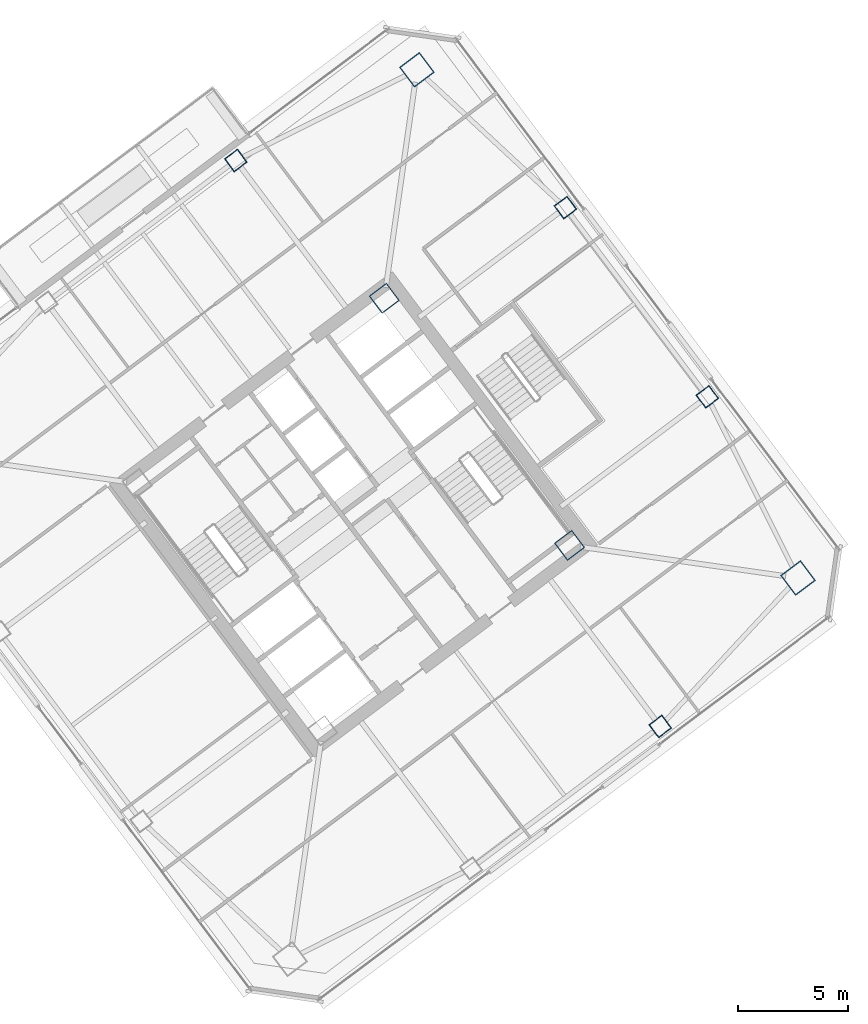
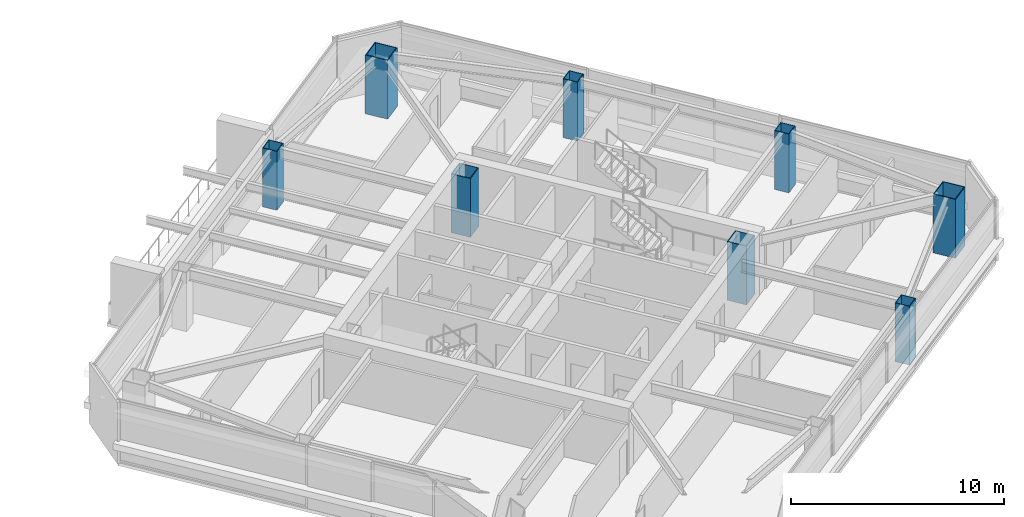
# One storey, part 2 of 43: 8 columns.
"""IFC4 building model written with IfcOpenShell, lengths in metres."""

import ifcopenshell
import ifcopenshell.guid

model = None  # the IFC model being written
_history = None  # IfcOwnerHistory: only IFC2X3 demands one
_inside = {}  # id of a spatial element -> (the spatial element, [elements in it])
_under = {}  # id of a project, library or spatial element -> (it, [spatial elements below it])
_declared = {}  # id of a project -> (the project, [libraries it declares])
_typed = {}  # id of a type object -> (the type object, [elements of that type])
_made_of = {}  # id of a material, layer set ... -> (it, [elements and type objects made of it])


def new_model(schema):
    """Start an empty IFC model of exactly this schema.

    Asked for "IFC4X3", IfcOpenShell would pick the latest addendum, in which some entities
    have other attributes; the version numbers below select the first issue.
    IFC2X3 requires an IfcOwnerHistory on every rooted entity: one is made here for all.
    """
    global model, _history
    if schema == "IFC4X3":
        model = ifcopenshell.file(schema_version=(4, 3, 0, 0))
    else:
        model = ifcopenshell.file(schema=schema)
    _inside.clear()
    _under.clear()
    _declared.clear()
    _typed.clear()
    _made_of.clear()
    _history = None
    if model.schema == "IFC2X3":
        org = make("IfcOrganization", Name="unknown")
        user = make(
            "IfcPersonAndOrganization",
            ThePerson=make("IfcPerson", FamilyName="unknown"),
            TheOrganization=org,
        )
        app = make(
            "IfcApplication",
            ApplicationDeveloper=org,
            Version="unknown",
            ApplicationFullName="unknown",
            ApplicationIdentifier="unknown",
        )
        _history = make(
            "IfcOwnerHistory",
            OwningUser=user,
            OwningApplication=app,
            ChangeAction="ADDED",
            CreationDate=0,
        )
    return model


def make(cls, **values):
    """One entity of the class cls with the attributes given. An attribute that is None is left unset."""
    return model.create_entity(
        cls, **{name: value for name, value in values.items() if value is not None}
    )


def rooted(cls, **values):
    """An entity with a GlobalId (a new one), such as an element, a storey or a relation."""
    return make(cls, GlobalId=ifcopenshell.guid.new(), OwnerHistory=_history, **values)


def si_unit(unit_type, name, prefix=None):
    """IfcSIUnit, for example si_unit("LENGTHUNIT", "METRE", prefix="MILLI")."""
    return make("IfcSIUnit", UnitType=unit_type, Prefix=prefix, Name=name)


def assignment(units):
    """IfcUnitAssignment: the units of a project."""
    return None if units is None else make("IfcUnitAssignment", Units=units)


def point(xyz):
    """IfcCartesianPoint."""
    return None if xyz is None else make("IfcCartesianPoint", Coordinates=xyz)


def direction(xyz):
    """IfcDirection."""
    return None if xyz is None else make("IfcDirection", DirectionRatios=xyz)


def frame(location, z_axis=None, x_axis=None):
    """IfcAxis2Placement3D, a coordinate frame: its origin and axes. An axis left out is left unset."""
    return make(
        "IfcAxis2Placement3D",
        Location=point(location),
        Axis=direction(z_axis),
        RefDirection=direction(x_axis),
    )


def frame_2d(location, x_axis=None):
    """IfcAxis2Placement2D, a coordinate frame in the plane: its origin and x axis."""
    return make(
        "IfcAxis2Placement2D", Location=point(location), RefDirection=direction(x_axis)
    )


def origin():
    """The frame at (0, 0, 0) with its axes left unset."""
    return frame((0.0, 0.0, 0.0))


def origin_2d():
    """The frame at (0, 0) in the plane with its x axis left unset."""
    return frame_2d((0.0, 0.0))


def place(relative_to, where):
    """IfcLocalPlacement: puts the frame where relative to a parent placement (None: the world)."""
    return make(
        "IfcLocalPlacement", PlacementRelTo=relative_to, RelativePlacement=where
    )


def context(
    kind, dimensions, precision=None, world=None, true_north=None, identifier=None
):
    """IfcGeometricRepresentationContext, for example the 3D "Model" context."""
    return make(
        "IfcGeometricRepresentationContext",
        ContextIdentifier=identifier,
        ContextType=kind,
        CoordinateSpaceDimension=dimensions,
        Precision=precision,
        WorldCoordinateSystem=world,
        TrueNorth=true_north,
    )


def subcontext(parent, identifier, kind, view, scale=None):
    """IfcGeometricRepresentationSubContext, for example "Body" below "Model"."""
    return make(
        "IfcGeometricRepresentationSubContext",
        ContextIdentifier=identifier,
        ContextType=kind,
        ParentContext=parent,
        TargetScale=scale,
        TargetView=view,
    )


def project(units=None, contexts=None):
    """IfcProject with its units and contexts."""
    return rooted(
        "IfcProject",
        Name="project",
        RepresentationContexts=contexts,
        UnitsInContext=assignment(units),
    )


def spatial(cls, under=None, at=None, **own):
    """A site, building, storey or space (cls), placed at a placement, below another one or the project."""
    s = rooted(cls, ObjectPlacement=at, **own)
    if under is not None:
        _under.setdefault(under.id(), (under, []))[1].append(s)
    return s


def profile(cls, at=None, kind="AREA", **sizes):
    """A parametric profile (cls). Its sizes go by their IFC names, for example OverallWidth=200.0."""
    return make(cls, ProfileType=kind, Position=at, **sizes)


def hollow_rectangle(**sizes):
    """IfcRectangleHollowProfileDef."""
    return profile("IfcRectangleHollowProfileDef", **sizes)


def extrude(swept, where, along, depth):
    """IfcExtrudedAreaSolid: the profile swept, set in the frame where, extruded along a direction by depth."""
    return make(
        "IfcExtrudedAreaSolid",
        SweptArea=swept,
        Position=where,
        ExtrudedDirection=direction(along),
        Depth=depth,
    )


def shape(context_of_items, identifier, shape_type, items):
    """IfcShapeRepresentation: the items that make up one representation, for example the "Body"."""
    return make(
        "IfcShapeRepresentation",
        ContextOfItems=context_of_items,
        RepresentationIdentifier=identifier,
        RepresentationType=shape_type,
        Items=items,
    )


def material(Name=None, Category=None):
    """IfcMaterial."""
    return make("IfcMaterial", Name=Name, Category=Category)


def material_profile(
    of_material, cross_section, Name=None, Category=None, Priority=None
):
    """IfcMaterialProfile: a cross section and its material."""
    return make(
        "IfcMaterialProfile",
        Name=Name,
        Material=of_material,
        Profile=cross_section,
        Priority=Priority,
        Category=Category,
    )


def profile_set(profiles, Name=None, composite=None):
    """IfcMaterialProfileSet."""
    return make(
        "IfcMaterialProfileSet",
        Name=Name,
        MaterialProfiles=profiles,
        CompositeProfile=composite,
    )


def made_of(thing, what):
    """Note that an element or type object is made of a material, layer set ...; save() writes the relation."""
    if what is not None:
        _made_of.setdefault(what.id(), (what, []))[1].append(thing)
    return thing


def type_object(cls, material=None, **own):
    """A type object (cls), such as IfcWallType, which elements share."""
    return made_of(rooted(cls, **own), material)


def element(
    cls,
    number,
    at=None,
    inside=None,
    cuts=None,
    type_object=None,
    material=None,
    context=None,
    identifier="Body",
    shape_type=None,
    held_by="IfcProductDefinitionShape",
    body=None,
    shapes=None,
    **own,
):
    """One element of the class cls, such as IfcWall. Its Tag is "e" and its number.

    at: its placement. inside: the storey or other place that contains it. cuts: it is an
    opening in that element (IfcRelVoidsElement). A single representation is given by context,
    identifier, shape_type and body (its items); several are given by shapes. held_by: the class
    of the entity that holds the representations. save() writes the other relations.
    """
    e = rooted(cls, Tag="e%d" % number, ObjectPlacement=at, **own)
    if body is not None:
        shapes = [shape(context, identifier, shape_type, body)]
    if shapes is not None:
        e.Representation = make(held_by, Representations=shapes)
    if inside is not None:
        _inside.setdefault(inside.id(), (inside, []))[1].append(e)
    if cuts is not None:
        rooted(
            "IfcRelVoidsElement", RelatingBuildingElement=cuts, RelatedOpeningElement=e
        )
    if type_object is not None:
        _typed.setdefault(type_object.id(), (type_object, []))[1].append(e)
    return made_of(e, material)


def aggregate(whole, parts):
    """IfcRelAggregates: a whole, such as a stair, and the parts it consists of."""
    return rooted("IfcRelAggregates", RelatingObject=whole, RelatedObjects=parts)


def save(model, path):
    """Write the relations noted so far, then the file.

    IfcRelAggregates (storeys below a building ...), IfcRelContainedInSpatialStructure (elements
    in a storey), IfcRelDefinesByType, IfcRelAssociatesMaterial and IfcRelDeclares: one each for
    every whole, place, type object, material and project.
    """
    for whole, parts in _under.values():
        aggregate(whole, parts)
    for where, things in _inside.values():
        rooted(
            "IfcRelContainedInSpatialStructure",
            RelatedElements=things,
            RelatingStructure=where,
        )
    for kind, things in _typed.values():
        rooted("IfcRelDefinesByType", RelatedObjects=things, RelatingType=kind)
    for what, things in _made_of.values():
        rooted("IfcRelAssociatesMaterial", RelatedObjects=things, RelatingMaterial=what)
    for by, libraries in _declared.values():
        rooted("IfcRelDeclares", RelatingContext=by, RelatedDefinitions=libraries)
    model.write(path)


model = new_model("IFC4")

# Units and contexts
model_context = context("Model", 3, precision=1e-05, world=origin(), true_north=direction((0.0, 1.0)))
body_context = subcontext(model_context, "Body", "Model", "MODEL_VIEW")
ifc_project = project(units=[si_unit("LENGTHUNIT", "METRE"), si_unit("AREAUNIT", "SQUARE_METRE"), si_unit("VOLUMEUNIT", "CUBIC_METRE"), si_unit("PLANEANGLEUNIT", "RADIAN"), si_unit("MASSUNIT", "GRAM", prefix="KILO")], contexts=[model_context])

# Site, building, storey
site_placement = place(None, origin())
site = spatial("IfcSite", under=ifc_project, at=site_placement, CompositionType="ELEMENT")
building_placement = place(site_placement, origin())
building = spatial("IfcBuilding", under=site, at=building_placement, Name="Tashvorn Skyway Center", CompositionType="ELEMENT")
storey_placement = place(building_placement, frame((0.0, 0.0, 188.949951171875)))
storey = spatial("IfcBuildingStorey", under=building, at=storey_placement, Name="L51", CompositionType="ELEMENT", Elevation=188.949951171875)

# Columns
ifc_material = material(Name="Steel ASTM A572 Grade 50", Category="steel")
ifc_material_profile_1 = material_profile(ifc_material, hollow_rectangle(XDim=1.0, YDim=1.0, WallThickness=0.0400390625, at=origin_2d()), Name="BOX1000x1000x40")
ifc_profile_set_1 = profile_set([ifc_material_profile_1], Name="Steel ASTM A572 Grade 50")
column_type_1 = type_object("IfcColumnType", Name="COL-BOX1000x1000x40", PredefinedType="COLUMN", material=ifc_profile_set_1)
for number, where, z_axis, x_axis, name in (
    (1, (123.8701171875, 30.590087890625, 0.0), (0.0, 0.0, 1.0), (0.799999996291, 0.600000004945, 0.0), "Tower 2 L51 Core Corner Column CC-SE"),
    (2, (115.409912109375, 41.8701171875, 0.0), (0.0, 0.0, 1.0), (0.799999996291, 0.600000004945, 0.0), "Tower 2 L51 Core Corner Column CC-NE"),
):
    element("IfcColumn", number, at=place(storey_placement, frame(where, z_axis=z_axis, x_axis=x_axis)), inside=storey, type_object=column_type_1, Name=name, PredefinedType="COLUMN", context=body_context, shape_type="SweptSolid", body=[
        extrude(hollow_rectangle(XDim=1.0, YDim=1.0, WallThickness=0.0400390625, at=origin_2d()), origin(), (0.0, 0.0, 1.0), 3.3701171875),
    ])
ifc_material_profile_2 = material_profile(ifc_material, hollow_rectangle(XDim=1.14990234375, YDim=1.14990234375, WallThickness=0.044921875, at=origin_2d()), Name="BOX1150x1150x45")
ifc_profile_set_2 = profile_set([ifc_material_profile_2], Name="Steel ASTM A572 Grade 50")
column_type_2 = type_object("IfcColumnType", Name="COL-BOX1150x1150x45", PredefinedType="COLUMN", material=ifc_profile_set_2)
for number, where, z_axis, x_axis, name in (
    (3, (134.300048828125, 29.10009765625, 0.0), (0.0, 0.0, 1.0), (0.799999996291, 0.600000004945, 0.0), "Tower 2 L51 Mega-Column MC-SE"),
    (4, (116.89990234375, 52.300048828125, 0.0), (0.0, 0.0, 1.0), (0.799999996291, 0.600000004945, 0.0), "Tower 2 L51 Mega-Column MC-NE"),
):
    element("IfcColumn", number, at=place(storey_placement, frame(where, z_axis=z_axis, x_axis=x_axis)), inside=storey, type_object=column_type_2, Name=name, PredefinedType="COLUMN", context=body_context, shape_type="SweptSolid", body=[
        extrude(hollow_rectangle(XDim=1.14990234375, YDim=1.14990234375, WallThickness=0.044921875, at=origin_2d()), origin(), (0.0, 0.0, 1.0), 3.3701171875),
    ])
ifc_material_profile_3 = material_profile(ifc_material, hollow_rectangle(XDim=0.75, YDim=0.75, WallThickness=0.031982421875, at=origin_2d()), Name="BOX750x750x32")
ifc_profile_set_3 = profile_set([ifc_material_profile_3], Name="Steel ASTM A572 Grade 50")
column_type_3 = type_object("IfcColumnType", Name="COL-BOX750x750x32", PredefinedType="COLUMN", material=ifc_profile_set_3)
for number, where, z_axis, x_axis, name in (
    (5, (128.010009765625, 22.320068359375, 0.0), (0.0, 0.0, 1.0), (0.799999996291, 0.600000004945, 0.0), "Tower 2 L51 Perimeter Column FC-S2"),
    (6, (130.159912109375, 37.3701171875, 0.0), (0.0, 0.0, 1.0), (0.799999996291, 0.600000004945, 0.0), "Tower 2 L51 Perimeter Column FC-E1"),
    (7, (123.679931640625, 46.010009765625, 0.0), (0.0, 0.0, 1.0), (0.799999996291, 0.600000004945, 0.0), "Tower 2 L51 Perimeter Column FC-E2"),
    (8, (108.6298828125, 48.159912109375, 0.0), (0.0, 0.0, 1.0), (0.799999996291, 0.600000004945, 0.0), "Tower 2 L51 Perimeter Column FC-N1"),
):
    element("IfcColumn", number, at=place(storey_placement, frame(where, z_axis=z_axis, x_axis=x_axis)), inside=storey, type_object=column_type_3, Name=name, PredefinedType="COLUMN", context=body_context, shape_type="SweptSolid", body=[
        extrude(hollow_rectangle(XDim=0.75, YDim=0.75, WallThickness=0.031982421875, at=origin_2d()), origin(), (0.0, 0.0, 1.0), 3.3701171875),
    ])

save(model, "model.ifc")
